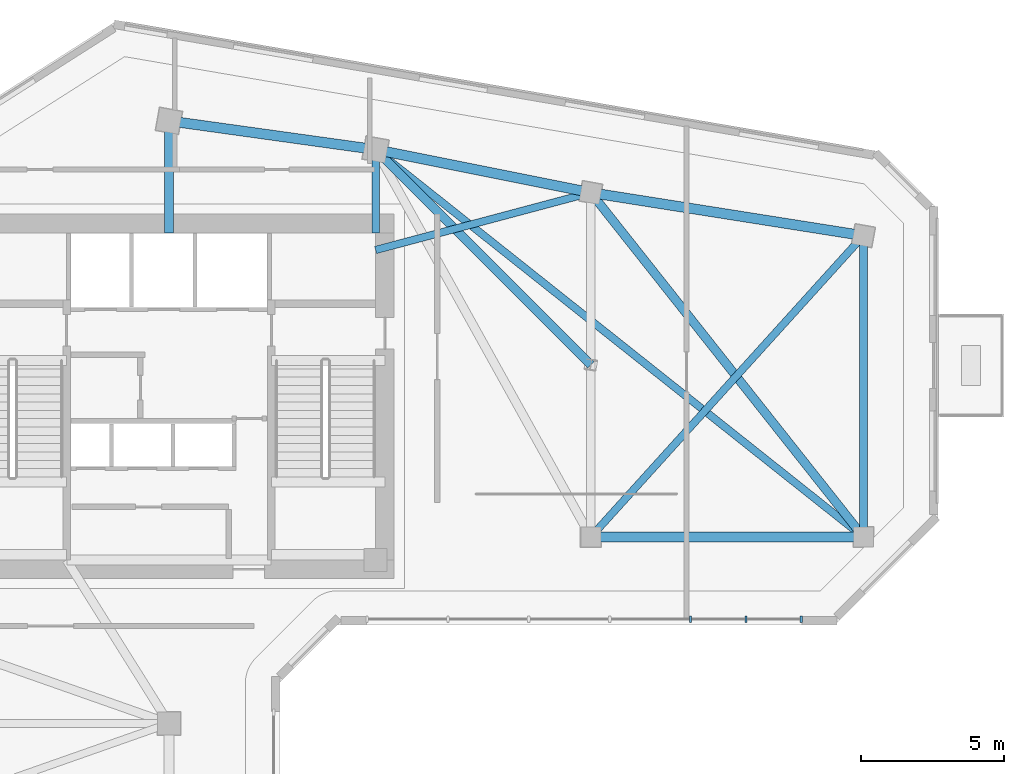
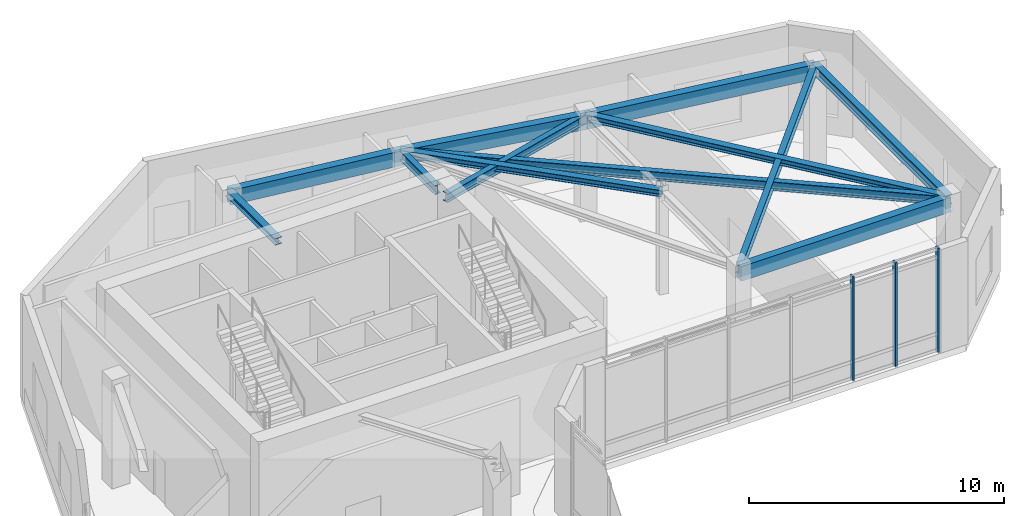
# One storey, part 3 of 10: 12 beams, 3 members, 1 element without a shape of its own.
"""IFC4 building model written with IfcOpenShell, lengths in metres."""

from ifc_helpers import new_model, si_unit, direction, frame, origin, origin_2d, place, context, subcontext, project, spatial, rectangle, i_section, extrude, source, transform, mapped, material, material_profile, profile_set, type_object, element, aggregate, save


model = new_model("IFC4")

# Units and contexts
model_context = context("Model", 3, precision=1e-05, world=origin(), true_north=direction((0.0, 1.0)))
body_context = subcontext(model_context, "Body", "Model", "MODEL_VIEW")
ifc_project = project(units=[si_unit("LENGTHUNIT", "METRE"), si_unit("AREAUNIT", "SQUARE_METRE"), si_unit("VOLUMEUNIT", "CUBIC_METRE"), si_unit("PLANEANGLEUNIT", "RADIAN"), si_unit("MASSUNIT", "GRAM", prefix="KILO")], contexts=[model_context])

# Site, building, storey
site_placement = place(None, origin())
site = spatial("IfcSite", under=ifc_project, at=site_placement, CompositionType="ELEMENT")
building_placement = place(site_placement, origin())
building = spatial("IfcBuilding", under=site, at=building_placement, Name="Calvemar Wedge Station Tower", CompositionType="ELEMENT")
storey_placement = place(building_placement, frame((0.0, 0.0, 178.199951171875)))
storey = spatial("IfcBuildingStorey", under=building, at=storey_placement, Name="L44", CompositionType="ELEMENT", Elevation=178.199951171875)

# Beams
ifc_material_1 = material(Name="Structural steel ASTM A572 Grade 50", Category="steel")
ifc_material_profile_1 = material_profile(ifc_material_1, i_section(OverallWidth=0.260986328125, OverallDepth=0.419921875, WebThickness=0.01171875, FlangeThickness=0.019287109375, FilletRadius=0.012939453125, at=origin_2d()), Name="W410x114")
ifc_profile_set_1 = profile_set([ifc_material_profile_1], Name="Structural steel ASTM A572 Grade 50")
beam_type_1 = type_object("IfcBeamType", Name="BM-J2-W410H", PredefinedType="JOIST", material=ifc_profile_set_1)
shared_shape_1 = source(origin(), body_context, "Body", "SweptSolid", [
    extrude(i_section(OverallWidth=0.260986328125, OverallDepth=0.419921875, WebThickness=0.01171875, FlangeThickness=0.019287109375, FilletRadius=0.012939453125, at=origin_2d()), origin(), (0.0, 0.0, 1.0), 21.708251953125),
])
beam_1_placement = place(storey_placement, frame((31.0, 48.5, 4.739990234375), z_axis=(0.783110847498, -0.621882143602, 0.0), x_axis=(0.621882143602, 0.783110847498, 0.0)))
element("IfcBeam", 1, at=beam_1_placement, inside=storey, type_object=beam_type_1, Name="Storey L44 Floor Beam T-N2-T-NL3", PredefinedType="JOIST", context=body_context, shape_type="MappedRepresentation", body=[
    mapped(shared_shape_1, transform((0.0, 0.0, 0.0), scale=1.0)),
])
ifc_material_profile_2 = material_profile(ifc_material_1, i_section(OverallWidth=0.304931640625, OverallDepth=0.30810546875, WebThickness=0.010009765625, FlangeThickness=0.015380859375, FilletRadius=0.014892578125, at=origin_2d()), Name="W310x97")
ifc_profile_set_2 = profile_set([ifc_material_profile_2], Name="Structural steel ASTM A572 Grade 50")
beam_type_2 = type_object("IfcBeamType", Name="BM-J6-W310", PredefinedType="JOIST", material=ifc_profile_set_2)
shared_shape_2 = source(origin(), body_context, "Body", "SweptSolid", [
    extrude(i_section(OverallWidth=0.304931640625, OverallDepth=0.30810546875, WebThickness=0.010009765625, FlangeThickness=0.015380859375, FilletRadius=0.014892578125, at=origin_2d()), origin(), (0.0, 0.0, 1.0), 15.30517578125),
])
beam_2_placement = place(storey_placement, frame((38.5, 47.0, 4.796142578125), z_axis=(0.620702944366, -0.784045824462, 0.0), x_axis=(0.784045824462, 0.620702944366, 0.0)))
element("IfcBeam", 2, at=beam_2_placement, inside=storey, type_object=beam_type_2, Name="Storey L44 Floor Beam T-NU3-T-NL3", PredefinedType="JOIST", context=body_context, shape_type="MappedRepresentation", body=[
    mapped(shared_shape_2, transform((0.0, 0.0, 0.0), scale=1.0)),
])
shared_shape_3 = source(origin(), body_context, "Body", "SweptSolid", [
    extrude(i_section(OverallWidth=0.260986328125, OverallDepth=0.419921875, WebThickness=0.01171875, FlangeThickness=0.019287109375, FilletRadius=0.012939453125, at=origin_2d()), origin(), (0.0, 0.0, 1.0), 14.159912109375),
])
beam_3_placement = place(storey_placement, frame((38.5, 35.0, 4.739990234375), z_axis=(0.670913323969, 0.741535779124, 0.0), x_axis=(-0.741535779124, 0.670913323969, 0.0)))
element("IfcBeam", 3, at=beam_3_placement, inside=storey, type_object=beam_type_1, Name="Storey L44 Floor Beam T-NL2-T-NU4", PredefinedType="JOIST", context=body_context, shape_type="MappedRepresentation", body=[
    mapped(shared_shape_3, transform((0.0, 0.0, 0.0), scale=1.0)),
])
shared_shape_4 = source(origin(), body_context, "Body", "SweptSolid", [
    extrude(i_section(OverallWidth=0.260986328125, OverallDepth=0.419921875, WebThickness=0.01171875, FlangeThickness=0.019287109375, FilletRadius=0.012939453125, at=origin_2d()), origin(), (0.0, 0.0, 1.0), 7.76220703125),
])
beam_4_placement = place(storey_placement, frame((31.0, 45.0, 4.739990234375), z_axis=(0.966234939601, 0.25766265056, 0.0), x_axis=(-0.25766265056, 0.966234939601, 0.0)))
element("IfcBeam", 4, at=beam_4_placement, inside=storey, type_object=beam_type_1, Name="Storey L44 Core-to-Column Joist CJ-E2", PredefinedType="JOIST", context=body_context, shape_type="MappedRepresentation", body=[
    mapped(shared_shape_4, transform((0.0, 0.0, 0.0), scale=1.0)),
])
shared_shape_5 = source(origin(), body_context, "Body", "SweptSolid", [
    extrude(i_section(OverallWidth=0.304931640625, OverallDepth=0.30810546875, WebThickness=0.010009765625, FlangeThickness=0.015380859375, FilletRadius=0.014892578125, at=origin_2d()), origin(), (0.0, 0.0, 1.0), 3.89990234375),
])
beam_5_placement = place(storey_placement, frame((23.800048828125, 45.60009765625, 4.796142578125), z_axis=(0.0, 1.0, 0.0), x_axis=(-1.0, 0.0, 0.0)))
element("IfcBeam", 5, at=beam_5_placement, inside=storey, type_object=beam_type_2, Name="Storey L44 Core-to-Column Joist CJ-N1", PredefinedType="JOIST", context=body_context, shape_type="MappedRepresentation", body=[
    mapped(shared_shape_5, transform((0.0, 0.0, 0.0), scale=1.0)),
])
shared_shape_6 = source(origin(), body_context, "Body", "SweptSolid", [
    extrude(i_section(OverallWidth=0.260986328125, OverallDepth=0.419921875, WebThickness=0.01171875, FlangeThickness=0.019287109375, FilletRadius=0.012939453125, at=origin_2d()), origin(), (0.0, 0.0, 1.0), 2.89990234375),
])
beam_6_placement = place(storey_placement, frame((31.0, 45.60009765625, 4.739990234375), z_axis=(0.0, 1.0, 0.0), x_axis=(-1.0, 0.0, 0.0)))
element("IfcBeam", 6, at=beam_6_placement, inside=storey, type_object=beam_type_1, Name="Storey L44 Core-to-Column Joist CJ-N2", PredefinedType="JOIST", context=body_context, shape_type="MappedRepresentation", body=[
    mapped(shared_shape_6, transform((0.0, 0.0, 0.0), scale=1.0)),
])
shared_shape_7 = source(origin(), body_context, "Body", "SweptSolid", [
    extrude(i_section(OverallWidth=0.304931640625, OverallDepth=0.30810546875, WebThickness=0.010009765625, FlangeThickness=0.015380859375, FilletRadius=0.014892578125, at=origin_2d()), origin(), (0.0, 0.0, 1.0), 10.606689453125),
])
beam_7_placement = place(storey_placement, frame((38.5, 41.0, 4.796142578125), z_axis=(-0.707106781187, 0.707106781187, 0.0), x_axis=(-0.707106781187, -0.707106781187, 0.0)))
element("IfcBeam", 7, at=beam_7_placement, inside=storey, type_object=beam_type_2, Name="Storey L44 Floor Beam T-NTIP-B-T-N2", PredefinedType="JOIST", context=body_context, shape_type="MappedRepresentation", body=[
    mapped(shared_shape_7, transform((0.0, 0.0, 0.0), scale=1.0)),
])
ifc_material_2 = material(Name="Concrete C50", Category="concrete")
ifc_material_profile_3 = material_profile(ifc_material_2, rectangle(XDim=0.35009765625, YDim=0.699951171875, at=origin_2d()), Name="RC350x700")
ifc_profile_set_3 = profile_set([ifc_material_profile_3], Name="Concrete C50")
beam_type_3 = type_object("IfcBeamType", Name="BM-SP2-700", PredefinedType="SPANDREL", material=ifc_profile_set_3)
shared_shape_8 = source(origin(), body_context, "Body", "SweptSolid", [
    extrude(rectangle(XDim=0.35009765625, YDim=0.699951171875, at=origin_2d()), origin(), (0.0, 0.0, 1.0), 7.26904296875),
])
beam_8_placement = place(storey_placement, frame((23.800048828125, 49.5, 4.60009765625), z_axis=(0.990492146053, -0.13756928657, 0.0), x_axis=(0.13756928657, 0.990492146053, 0.0)))
element("IfcBeam", 8, at=beam_8_placement, inside=storey, type_object=beam_type_3, Name="Storey L44 Spandrel T-N1-T-N2", PredefinedType="SPANDREL", context=body_context, shape_type="MappedRepresentation", body=[
    mapped(shared_shape_8, transform((0.0, 0.0, 0.0), scale=1.0)),
])
shared_shape_9 = source(origin(), body_context, "Body", "SweptSolid", [
    extrude(rectangle(XDim=0.35009765625, YDim=0.699951171875, at=origin_2d()), origin(), (0.0, 0.0, 1.0), 7.6484375),
])
beam_9_placement = place(storey_placement, frame((31.0, 48.5, 4.60009765625), z_axis=(0.980580675691, -0.196116135138, 0.0), x_axis=(0.196116135138, 0.980580675691, 0.0)))
element("IfcBeam", 9, at=beam_9_placement, inside=storey, type_object=beam_type_3, Name="Storey L44 Spandrel T-N2-T-NU3", PredefinedType="SPANDREL", context=body_context, shape_type="MappedRepresentation", body=[
    mapped(shared_shape_9, transform((0.0, 0.0, 0.0), scale=1.0)),
])
shared_shape_10 = source(origin(), body_context, "Body", "SweptSolid", [
    extrude(rectangle(XDim=0.35009765625, YDim=0.699951171875, at=origin_2d()), origin(), (0.0, 0.0, 1.0), 9.61767578125),
])
beam_10_placement = place(storey_placement, frame((38.5, 47.0, 4.60009765625), z_axis=(0.987762965329, -0.155962573473, 0.0), x_axis=(0.155962573473, 0.987762965329, 0.0)))
element("IfcBeam", 10, at=beam_10_placement, inside=storey, type_object=beam_type_3, Name="Storey L44 Spandrel T-NU3-T-NU4", PredefinedType="SPANDREL", context=body_context, shape_type="MappedRepresentation", body=[
    mapped(shared_shape_10, transform((0.0, 0.0, 0.0), scale=1.0)),
])
shared_shape_11 = source(origin(), body_context, "Body", "SweptSolid", [
    extrude(rectangle(XDim=0.35009765625, YDim=0.699951171875, at=origin_2d()), origin(), (0.0, 0.0, 1.0), 9.5),
])
beam_11_placement = place(storey_placement, frame((38.5, 35.0, 4.60009765625), z_axis=(1.0, 0.0, 0.0), x_axis=(0.0, 1.0, 0.0)))
element("IfcBeam", 11, at=beam_11_placement, inside=storey, type_object=beam_type_3, Name="Storey L44 Spandrel T-NL2-T-NL3", PredefinedType="SPANDREL", context=body_context, shape_type="MappedRepresentation", body=[
    mapped(shared_shape_11, transform((0.0, 0.0, 0.0), scale=1.0)),
])
ifc_material_profile_4 = material_profile(ifc_material_1, i_section(OverallWidth=0.283935546875, OverallDepth=0.47607421875, WebThickness=0.014892578125, FlangeThickness=0.02392578125, FilletRadius=0.014892578125, at=origin_2d()), Name="W460x158")
ifc_profile_set_4 = profile_set([ifc_material_profile_4], Name="Structural steel ASTM A572 Grade 50")
beam_type_4 = type_object("IfcBeamType", Name="BM-SB5-W460H", PredefinedType="BEAM", material=ifc_profile_set_4)
shared_shape_12 = source(origin(), body_context, "Body", "SweptSolid", [
    extrude(i_section(OverallWidth=0.283935546875, OverallDepth=0.47607421875, WebThickness=0.014892578125, FlangeThickness=0.02392578125, FilletRadius=0.014892578125, at=origin_2d()), origin(), (0.0, 0.0, 1.0), 10.5),
])
beam_12_placement = place(storey_placement, frame((48.0, 45.5, 4.712158203125), z_axis=(0.0, -1.0, 0.0), x_axis=(1.0, 0.0, 0.0)))
element("IfcBeam", 12, at=beam_12_placement, inside=storey, type_object=beam_type_4, Name="Storey L44 Floor Beam T-NU4-T-NL3", PredefinedType="BEAM", context=body_context, shape_type="MappedRepresentation", body=[
    mapped(shared_shape_12, transform((0.0, 0.0, 0.0), scale=1.0)),
])

# Curtain wall, members
ifc_material_3 = material(Name="Anodised aluminium 6063-T6", Category="aluminium")
curtain_wall_type = type_object("IfcCurtainWallType", Name="CW6", PredefinedType="NOTDEFINED", material=ifc_material_3)
curtain_wall_placement = place(storey_placement, origin())
curtain_wall = element("IfcCurtainWall", 13, at=curtain_wall_placement, inside=storey, type_object=curtain_wall_type, Name="Storey L44 CW6 Recessed Unitised Curtain Wall 6", PredefinedType="NOTDEFINED")
ifc_material_profile_5 = material_profile(ifc_material_3, rectangle(XDim=0.080078125, YDim=0.219970703125, at=origin_2d()), Name="AL-MUL-80x220")
ifc_profile_set_5 = profile_set([ifc_material_profile_5], Name="Anodised aluminium 6063-T6")
member_type = type_object("IfcMemberType", Name="CW6-MUL", PredefinedType="MULLION", material=ifc_profile_set_5)
shared_shape_13 = source(origin(), body_context, "Body", "SweptSolid", [
    extrude(rectangle(XDim=0.080078125, YDim=0.219970703125, at=origin_2d()), origin(), (0.0, 0.0, 1.0), 5.0),
])
member_1_placement = place(storey_placement, frame((41.97509765625, 32.134033203125, -0.050048828125), z_axis=(0.0, 0.0, 1.0), x_axis=(1.0, 0.0, 0.0)))
member_1 = element("IfcMember", 14, at=member_1_placement, type_object=member_type, Name="CW6 mullion 5", PredefinedType="MULLION", context=body_context, shape_type="MappedRepresentation", body=[
    mapped(shared_shape_13, transform((0.0, 0.0, 0.0), scale=1.0)),
])
member_2_placement = place(storey_placement, frame((43.906494140625, 32.134033203125, -0.050048828125), z_axis=(0.0, 0.0, 1.0), x_axis=(1.0, 0.0, 0.0)))
member_2 = element("IfcMember", 15, at=member_2_placement, type_object=member_type, Name="CW6 mullion 6", PredefinedType="MULLION", context=body_context, shape_type="MappedRepresentation", body=[
    mapped(shared_shape_13, transform((0.0, 0.0, 0.0), scale=1.0)),
])
member_3_placement = place(storey_placement, frame((45.837890625, 32.134033203125, -0.050048828125), z_axis=(0.0, 0.0, 1.0), x_axis=(1.0, 0.0, 0.0)))
member_3 = element("IfcMember", 16, at=member_3_placement, type_object=member_type, Name="CW6 mullion 7", PredefinedType="MULLION", context=body_context, shape_type="MappedRepresentation", body=[
    mapped(shared_shape_13, transform((0.0, 0.0, 0.0), scale=1.0)),
])
aggregate(curtain_wall, [member_1, member_2, member_3])

save(model, "model.ifc")
